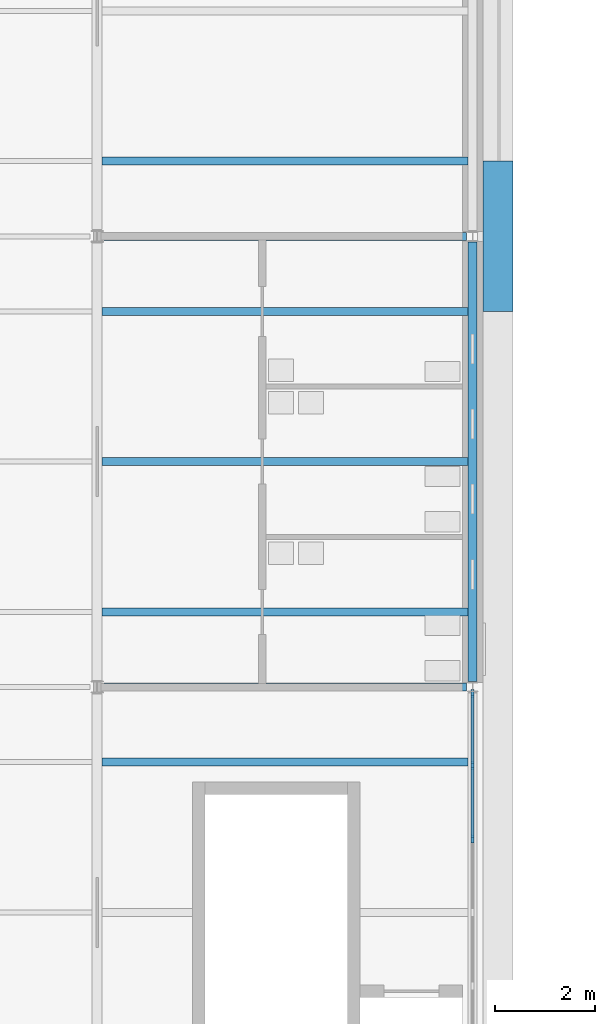
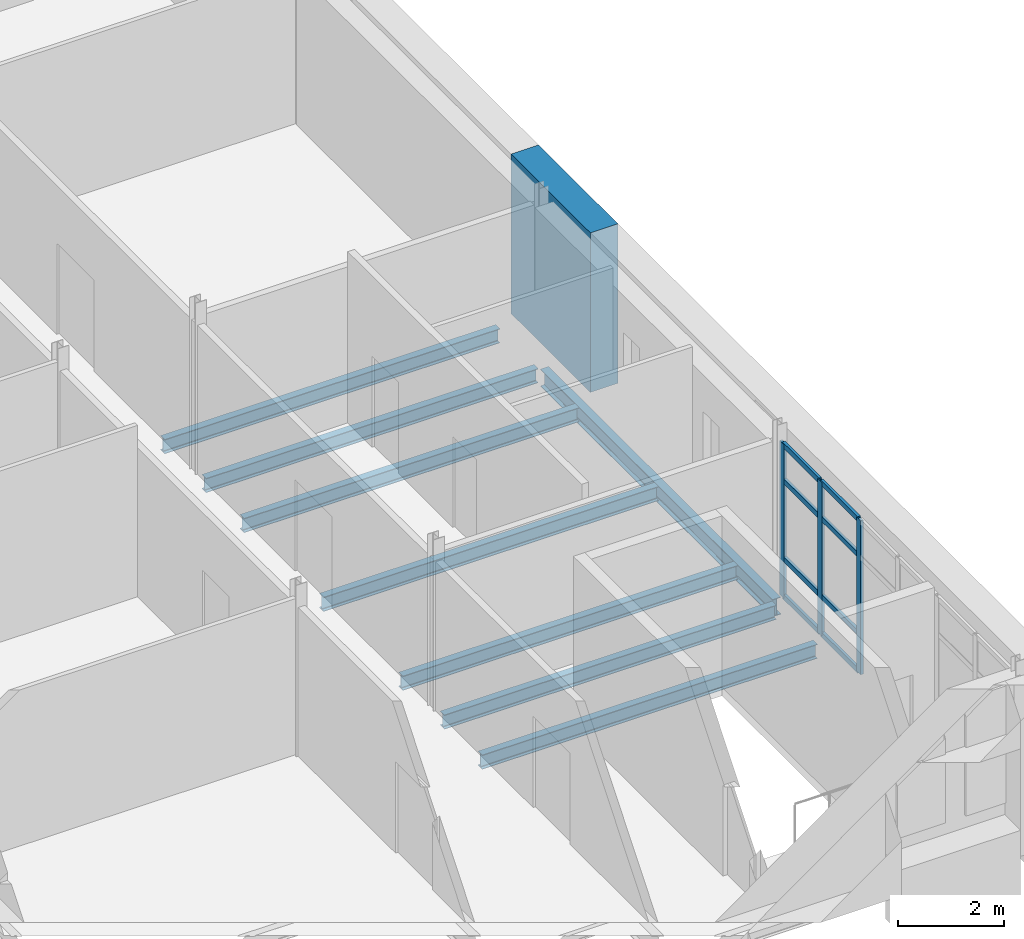
# One storey, part 29 of 154: 12 members, 8 beams, 1 element without a shape of its own.
"""IFC4 building model written with IfcOpenShell, lengths in metres."""

from ifc_helpers import new_model, si_unit, direction, frame, origin, origin_2d, place, context, subcontext, project, spatial, rectangle, i_section, extrude, material, layer, layer_set, material_profile, profile_set, type_object, element, aggregate, save


model = new_model("IFC4")

# Units and contexts
model_context = context("Model", 3, precision=1e-05, world=origin(), true_north=direction((0.0, 1.0)))
body_context = subcontext(model_context, "Body", "Model", "MODEL_VIEW")
ifc_project = project(units=[si_unit("LENGTHUNIT", "METRE"), si_unit("AREAUNIT", "SQUARE_METRE"), si_unit("VOLUMEUNIT", "CUBIC_METRE"), si_unit("PLANEANGLEUNIT", "RADIAN"), si_unit("MASSUNIT", "GRAM", prefix="KILO")], contexts=[model_context])

# Site, building, storey
site_placement = place(None, origin())
site = spatial("IfcSite", under=ifc_project, at=site_placement, CompositionType="ELEMENT")
building_placement = place(site_placement, origin())
building = spatial("IfcBuilding", under=site, at=building_placement, Name="Golden Quay Civic Hall", CompositionType="ELEMENT")
storey_placement = place(building_placement, frame((0.0, 0.0, 14.39990234375)))
storey = spatial("IfcBuildingStorey", under=building, at=storey_placement, Name="L03", CompositionType="ELEMENT", Elevation=14.39990234375)

# Curtain wall, members
ifc_material_1 = material(Name="Glass, laminated double glazed", Category="glass")
ifc_layer = layer(ifc_material_1, 0.199951171875)
ifc_layer_set = layer_set([ifc_layer], Name="Glazed core strip curtain wall")
curtain_wall_type = type_object("IfcCurtainWallType", Name="Glazed core strip curtain wall", PredefinedType="NOTDEFINED", material=ifc_layer_set)
curtain_wall_placement = place(storey_placement, origin())
curtain_wall = element("IfcCurtainWall", 1, at=curtain_wall_placement, inside=storey, type_object=curtain_wall_type, Name="Glazed core strip curtain wall L03 4", PredefinedType="NOTDEFINED")
ifc_material_2 = material(Name="Aluminium, anodised", Category="aluminium")
ifc_material_profile_1 = material_profile(ifc_material_2, rectangle(XDim=0.06005859375, YDim=0.159912109375, at=origin_2d()), Name="Aluminium 60 x 160")
ifc_profile_set_1 = profile_set([ifc_material_profile_1], Name="Aluminium, anodised")
member_type_1 = type_object("IfcMemberType", Name="Aluminium mullion 60 x 160", PredefinedType="MULLION", material=ifc_profile_set_1)
member_1_placement = place(storey_placement, frame((117.0, 8.875, 0.0), z_axis=(0.0, 0.0, 1.0), x_axis=(1.0, 0.0, 0.0)))
member_1 = element("IfcMember", 2, at=member_1_placement, type_object=member_type_1, Name="CW2 mullion 1", PredefinedType="MULLION", context=body_context, shape_type="SweptSolid", body=[
    extrude(rectangle(XDim=0.06005859375, YDim=0.159912109375, at=origin_2d()), origin(), (0.0, 0.0, 1.0), 3.550048828125),
])
member_2_placement = place(storey_placement, frame((117.0, 7.436767578125, 0.0), z_axis=(0.0, 0.0, 1.0), x_axis=(1.0, 0.0, 0.0)))
member_2 = element("IfcMember", 3, at=member_2_placement, type_object=member_type_1, Name="CW2 mullion 2", PredefinedType="MULLION", context=body_context, shape_type="SweptSolid", body=[
    extrude(rectangle(XDim=0.06005859375, YDim=0.159912109375, at=origin_2d()), origin(), (0.0, 0.0, 1.0), 3.550048828125),
])
member_3_placement = place(storey_placement, frame((117.0, 5.96826171875, 0.0), z_axis=(0.0, 0.0, 1.0), x_axis=(1.0, 0.0, 0.0)))
member_3 = element("IfcMember", 4, at=member_3_placement, type_object=member_type_1, Name="CW2 mullion 3", PredefinedType="MULLION", context=body_context, shape_type="SweptSolid", body=[
    extrude(rectangle(XDim=0.06005859375, YDim=0.159912109375, at=origin_2d()), origin(), (0.0, 0.0, 1.0), 3.550048828125),
])
ifc_material_3 = material(Name="Aluminium, anodised", Category="aluminium")
ifc_material_profile_2 = material_profile(ifc_material_3, rectangle(XDim=0.06005859375, YDim=0.1201171875, at=origin_2d()), Name="Aluminium 60 x 120")
ifc_profile_set_2 = profile_set([ifc_material_profile_2], Name="Aluminium, anodised")
member_type_2 = type_object("IfcMemberType", Name="Aluminium transom 60 x 120", PredefinedType="USERDEFINED", material=ifc_profile_set_2)
member_4_placement = place(storey_placement, frame((117.0, 8.844970703125, 0.030029296875), z_axis=(0.0, -1.0, 0.0), x_axis=(1.0, 0.0, 0.0)))
member_4 = element("IfcMember", 5, at=member_4_placement, type_object=member_type_2, Name="CW2 transom 1.1", ObjectType="TRANSOM", PredefinedType="USERDEFINED", context=body_context, shape_type="SweptSolid", body=[
    extrude(rectangle(XDim=0.06005859375, YDim=0.1201171875, at=origin_2d()), origin(), (0.0, 0.0, 1.0), 1.37841796875),
])
member_5_placement = place(storey_placement, frame((117.0, 8.844970703125, 0.900146484375), z_axis=(0.0, -1.0, 0.0), x_axis=(1.0, 0.0, 0.0)))
member_5 = element("IfcMember", 6, at=member_5_placement, type_object=member_type_2, Name="CW2 transom 1.2", ObjectType="TRANSOM", PredefinedType="USERDEFINED", context=body_context, shape_type="SweptSolid", body=[
    extrude(rectangle(XDim=0.06005859375, YDim=0.1201171875, at=origin_2d()), origin(), (0.0, 0.0, 1.0), 1.37841796875),
])
member_6_placement = place(storey_placement, frame((117.0, 8.844970703125, 2.7001953125), z_axis=(0.0, -1.0, 0.0), x_axis=(1.0, 0.0, 0.0)))
member_6 = element("IfcMember", 7, at=member_6_placement, type_object=member_type_2, Name="CW2 transom 1.3", ObjectType="TRANSOM", PredefinedType="USERDEFINED", context=body_context, shape_type="SweptSolid", body=[
    extrude(rectangle(XDim=0.06005859375, YDim=0.1201171875, at=origin_2d()), origin(), (0.0, 0.0, 1.0), 1.37841796875),
])
member_7_placement = place(storey_placement, frame((117.0, 8.844970703125, 3.52001953125), z_axis=(0.0, -1.0, 0.0), x_axis=(1.0, 0.0, 0.0)))
member_7 = element("IfcMember", 8, at=member_7_placement, type_object=member_type_2, Name="CW2 transom 1.4", ObjectType="TRANSOM", PredefinedType="USERDEFINED", context=body_context, shape_type="SweptSolid", body=[
    extrude(rectangle(XDim=0.06005859375, YDim=0.1201171875, at=origin_2d()), origin(), (0.0, 0.0, 1.0), 1.37841796875),
])
member_8_placement = place(storey_placement, frame((117.0, 7.40673828125, 0.030029296875), z_axis=(0.0, -1.0, 0.0), x_axis=(1.0, 0.0, 0.0)))
member_8 = element("IfcMember", 9, at=member_8_placement, type_object=member_type_2, Name="CW2 transom 2.1", ObjectType="TRANSOM", PredefinedType="USERDEFINED", context=body_context, shape_type="SweptSolid", body=[
    extrude(rectangle(XDim=0.06005859375, YDim=0.1201171875, at=origin_2d()), origin(), (0.0, 0.0, 1.0), 1.408447265625),
])
member_9_placement = place(storey_placement, frame((117.0, 7.40673828125, 0.900146484375), z_axis=(0.0, -1.0, 0.0), x_axis=(1.0, 0.0, 0.0)))
member_9 = element("IfcMember", 10, at=member_9_placement, type_object=member_type_2, Name="CW2 transom 2.2", ObjectType="TRANSOM", PredefinedType="USERDEFINED", context=body_context, shape_type="SweptSolid", body=[
    extrude(rectangle(XDim=0.06005859375, YDim=0.1201171875, at=origin_2d()), origin(), (0.0, 0.0, 1.0), 1.408447265625),
])
member_10_placement = place(storey_placement, frame((117.0, 7.40673828125, 2.7001953125), z_axis=(0.0, -1.0, 0.0), x_axis=(1.0, 0.0, 0.0)))
member_10 = element("IfcMember", 11, at=member_10_placement, type_object=member_type_2, Name="CW2 transom 2.3", ObjectType="TRANSOM", PredefinedType="USERDEFINED", context=body_context, shape_type="SweptSolid", body=[
    extrude(rectangle(XDim=0.06005859375, YDim=0.1201171875, at=origin_2d()), origin(), (0.0, 0.0, 1.0), 1.408447265625),
])
member_11_placement = place(storey_placement, frame((117.0, 7.40673828125, 3.52001953125), z_axis=(0.0, -1.0, 0.0), x_axis=(1.0, 0.0, 0.0)))
member_11 = element("IfcMember", 12, at=member_11_placement, type_object=member_type_2, Name="CW2 transom 2.4", ObjectType="TRANSOM", PredefinedType="USERDEFINED", context=body_context, shape_type="SweptSolid", body=[
    extrude(rectangle(XDim=0.06005859375, YDim=0.1201171875, at=origin_2d()), origin(), (0.0, 0.0, 1.0), 1.408447265625),
])
aggregate(curtain_wall, [member_1, member_2, member_3, member_4, member_5, member_6, member_7, member_8, member_9, member_10, member_11])

# Member
ifc_material_4 = material(Name="Concrete C40/50", Category="concrete")
ifc_material_profile_3 = material_profile(ifc_material_4, rectangle(XDim=3.0, YDim=0.60009765625, at=origin_2d()), Name="RC 3000x600")
ifc_profile_set_3 = profile_set([ifc_material_profile_3], Name="Concrete C40/50")
member_type_3 = type_object("IfcMemberType", Name="Precast concrete facade pier 3000 x 600", PredefinedType="POST", material=ifc_profile_set_3)
member_12_placement = place(storey_placement, frame((117.5, 18.0, 0.0), z_axis=(0.0, 0.0, 1.0), x_axis=(0.0, 1.0, 0.0)))
element("IfcMember", 13, at=member_12_placement, inside=storey, type_object=member_type_3, Name="Precast concrete facade pier 3000 x 600 L03 27", PredefinedType="POST", context=body_context, shape_type="SweptSolid", body=[
    extrude(rectangle(XDim=3.0, YDim=0.60009765625, at=origin_2d()), origin(), (0.0, 0.0, 1.0), 3.68017578125),
])

# Beams
ifc_material_5 = material(Name="Steel S355", Category="steel")
ifc_material_profile_4 = material_profile(ifc_material_5, i_section(OverallWidth=0.159912109375, OverallDepth=0.330078125, WebThickness=0.007568359375, FlangeThickness=0.011474609375, FilletRadius=0.01806640625, at=origin_2d()), Name="IPE 330")
ifc_profile_set_4 = profile_set([ifc_material_profile_4], Name="Steel S355")
beam_type_1 = type_object("IfcBeamType", Name="Steel beam IPE 330", PredefinedType="BEAM", material=ifc_profile_set_4)
for number, where, z_axis, x_axis, name in (
    (14, (109.639892578125, 9.0, -0.364990234375), (1.0, 0.0, 0.0), (0.0, 1.0, 0.0), "Beam S9-109.5"),
    (15, (109.639892578125, 18.0, -0.364990234375), (1.0, 0.0, 0.0), (0.0, 1.0, 0.0), "Beam S18-109.5"),
):
    element("IfcBeam", number, at=place(storey_placement, frame(where, z_axis=z_axis, x_axis=x_axis)), inside=storey, type_object=beam_type_1, Name=name, PredefinedType="BEAM", context=body_context, shape_type="SweptSolid", body=[
        extrude(i_section(OverallWidth=0.159912109375, OverallDepth=0.330078125, WebThickness=0.007568359375, FlangeThickness=0.011474609375, FilletRadius=0.01806640625, at=origin_2d()), origin(), (0.0, 0.0, 1.0), 7.239990234375),
    ])
ifc_material_6 = material(Name="Steel S355", Category="steel")
ifc_material_profile_5 = material_profile(ifc_material_6, i_section(OverallWidth=0.179931640625, OverallDepth=0.39990234375, WebThickness=0.008544921875, FlangeThickness=0.013427734375, FilletRadius=0.02099609375, at=origin_2d()), Name="IPE 400")
ifc_profile_set_5 = profile_set([ifc_material_profile_5], Name="Steel S355")
beam_type_2 = type_object("IfcBeamType", Name="Steel beam IPE 400", PredefinedType="BEAM", material=ifc_profile_set_5)
beam_placement = place(storey_placement, frame((117.0, 9.114990234375, -0.39990234375), z_axis=(0.0, 1.0, 0.0), x_axis=(-1.0, 0.0, 0.0)))
element("IfcBeam", 16, at=beam_placement, inside=storey, type_object=beam_type_2, Name="Beam L117-9", PredefinedType="BEAM", context=body_context, shape_type="SweptSolid", body=[
    extrude(i_section(OverallWidth=0.179931640625, OverallDepth=0.39990234375, WebThickness=0.008544921875, FlangeThickness=0.013427734375, FilletRadius=0.02099609375, at=origin_2d()), origin(), (0.0, 0.0, 1.0), 8.77001953125),
])
ifc_material_7 = material(Name="Steel S355", Category="steel")
ifc_material_profile_6 = material_profile(ifc_material_7, i_section(OverallWidth=0.159912109375, OverallDepth=0.330078125, WebThickness=0.007568359375, FlangeThickness=0.011474609375, FilletRadius=0.01806640625, at=origin_2d()), Name="IPE 330")
ifc_profile_set_6 = profile_set([ifc_material_profile_6], Name="Steel S355")
beam_type_3 = type_object("IfcBeamType", Name="Steel joist IPE 330", PredefinedType="JOIST", material=ifc_profile_set_6)
for number, where, z_axis, x_axis, name in (
    (17, (109.60009765625, 7.5, -0.364990234375), (1.0, 0.0, 0.0), (0.0, 1.0, 0.0), "Joist J7.5-109.5"),
    (18, (109.60009765625, 10.5, -0.364990234375), (1.0, 0.0, 0.0), (0.0, 1.0, 0.0), "Joist J10.5-109.5"),
    (19, (109.60009765625, 13.5, -0.364990234375), (1.0, 0.0, 0.0), (0.0, 1.0, 0.0), "Joist J13.5-109.5"),
    (20, (109.60009765625, 16.5, -0.364990234375), (1.0, 0.0, 0.0), (0.0, 1.0, 0.0), "Joist J16.5-109.5"),
    (21, (109.60009765625, 19.5, -0.364990234375), (1.0, 0.0, 0.0), (0.0, 1.0, 0.0), "Joist J19.5-109.5"),
):
    element("IfcBeam", number, at=place(storey_placement, frame(where, z_axis=z_axis, x_axis=x_axis)), inside=storey, type_object=beam_type_3, Name=name, PredefinedType="JOIST", context=body_context, shape_type="SweptSolid", body=[
        extrude(i_section(OverallWidth=0.159912109375, OverallDepth=0.330078125, WebThickness=0.007568359375, FlangeThickness=0.011474609375, FilletRadius=0.01806640625, at=origin_2d()), origin(), (0.0, 0.0, 1.0), 7.309814453125),
    ])

save(model, "model.ifc")
